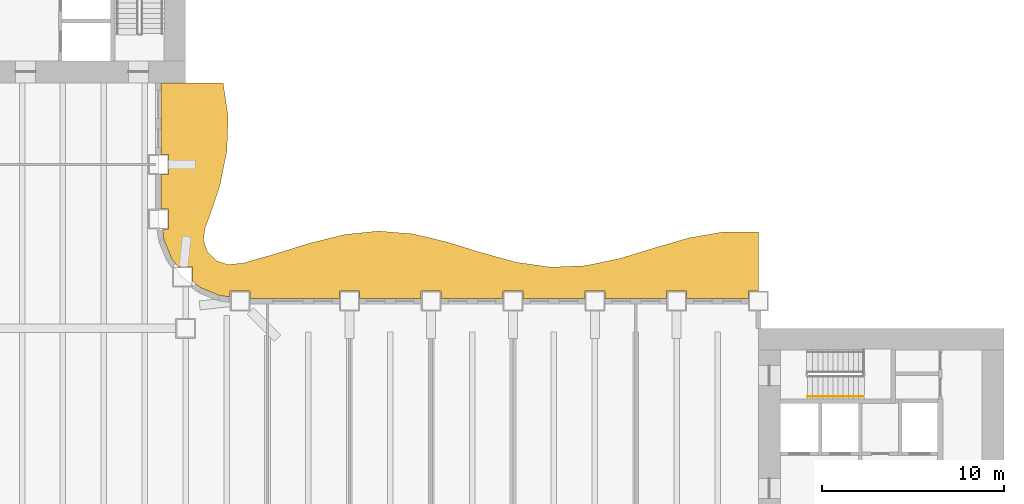
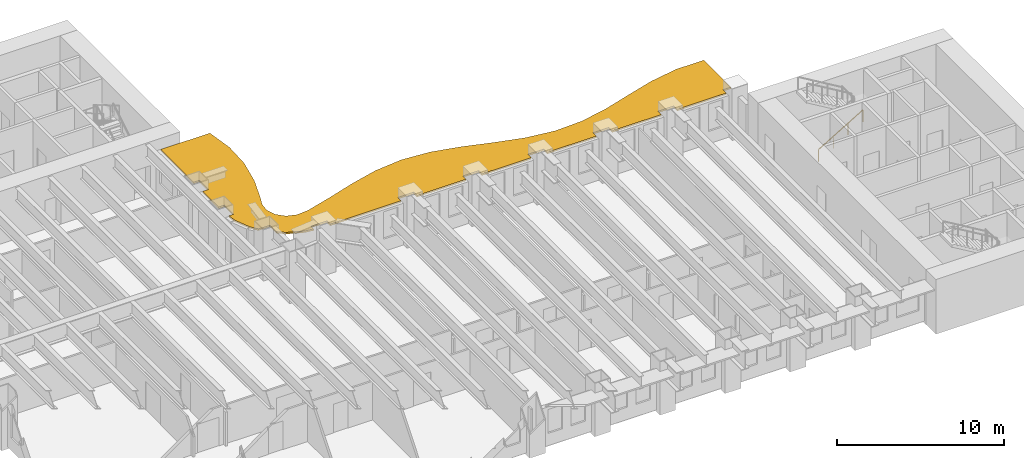
# One storey, part 14 of 16: 1 railing, 1 shading device.
"""IFC4 building model written with IfcOpenShell, lengths in metres."""

from ifc_helpers import new_model, si_unit, direction, frame, origin, origin_2d, place, context, subcontext, project, spatial, polyline, rectangle, outline, extrude, material, layer, layer_set, type_object, element, save


model = new_model("IFC4")

# Units and contexts
model_context = context("Model", 3, precision=1e-05, world=origin(), true_north=direction((0.0, 1.0)))
body_context = subcontext(model_context, "Body", "Model", "MODEL_VIEW")
ifc_project = project(units=[si_unit("LENGTHUNIT", "METRE"), si_unit("AREAUNIT", "SQUARE_METRE"), si_unit("VOLUMEUNIT", "CUBIC_METRE"), si_unit("PLANEANGLEUNIT", "RADIAN"), si_unit("MASSUNIT", "GRAM", prefix="KILO")], contexts=[model_context])

# Site, building, storey
site_placement = place(None, origin())
site = spatial("IfcSite", under=ifc_project, at=site_placement, CompositionType="ELEMENT")
building_placement = place(site_placement, origin())
building = spatial("IfcBuilding", under=site, at=building_placement, Name="Sennacour Bend Tower", CompositionType="ELEMENT")
storey_placement = place(building_placement, frame((0.0, 0.0, 73.0)))
storey = spatial("IfcBuildingStorey", under=building, at=storey_placement, Name="L16", CompositionType="ELEMENT", Elevation=73.0)

# Railing
ifc_material_1 = material(Name="Stainless steel", Category="steel")
railing_type = type_object("IfcRailingType", Name="RL-HANDRAIL-900", PredefinedType="HANDRAIL", material=ifc_material_1)
railing_placement = place(storey_placement, frame((56.699951171875, 18.75, 0.166748046875)))
element("IfcRailing", 1, at=railing_placement, inside=storey, type_object=railing_type, Name="L16 SA2 stair handrail 1", PredefinedType="HANDRAIL", context=body_context, shape_type="SweptSolid", body=[
    extrude(rectangle(XDim=0.048095703125, YDim=0.048095703125, at=origin_2d()), frame((0.0, 0.0, 0.8759765625), z_axis=(0.859308565015, 0.0, 0.511457515432), x_axis=(0.0, 1.0, 0.0)), (0.0, 0.0, 1.0), 3.58447265625),
    extrude(rectangle(XDim=0.0419921875, YDim=0.0419921875, at=origin_2d()), origin(), (0.0, 0.0, 1.0), 0.851806640625),
    extrude(rectangle(XDim=0.0419921875, YDim=0.0419921875, at=origin_2d()), frame((1.026611328125, 0.0, 0.611083984375)), (0.0, 0.0, 1.0), 0.851806640625),
    extrude(rectangle(XDim=0.0419921875, YDim=0.0419921875, at=origin_2d()), frame((2.053466796875, 0.0, 1.22216796875)), (0.0, 0.0, 1.0), 0.851806640625),
    extrude(rectangle(XDim=0.0419921875, YDim=0.0419921875, at=origin_2d()), frame((3.080078125, 0.0, 1.833251953125)), (0.0, 0.0, 1.0), 0.851806640625),
])

# Shading device
ifc_material_2 = material(Name="Bronze anodised aluminium", Category="aluminium")
ifc_layer = layer(ifc_material_2, 0.1201171875, Name="Bronze anodised aluminium", Category="aluminium")
ifc_layer_set = layer_set([ifc_layer], Name="Bronze anodised aluminium")
shading_device_type = type_object("IfcShadingDeviceType", Name="SUNSHADE BAND WAVE", PredefinedType="USERDEFINED", material=ifc_layer_set)
shading_device_placement = place(storey_placement, frame((0.0, 0.0, 2.924072265625)))
element("IfcShadingDevice", 2, at=shading_device_placement, inside=storey, type_object=shading_device_type, Name="Sunshade band L16 concave faces", ObjectType="SUNSHADE", PredefinedType="USERDEFINED", context=body_context, shape_type="SweptSolid", body=[
    extrude(outline(polyline([(53.449951171875, 24.14990234375), (50.050048828125, 24.14990234375), (50.050048828125, 24.550048828125), (48.949951171875, 24.550048828125), (48.949951171875, 24.14990234375), (45.550048828125, 24.14990234375), (45.550048828125, 24.550048828125), (44.449951171875, 24.550048828125), (44.449951171875, 24.14990234375), (41.050048828125, 24.14990234375), (41.050048828125, 24.550048828125), (39.949951171875, 24.550048828125), (39.949951171875, 24.14990234375), (36.550048828125, 24.14990234375), (36.550048828125, 24.550048828125), (35.449951171875, 24.550048828125), (35.449951171875, 24.14990234375), (32.050048828125, 24.14990234375), (32.050048828125, 24.550048828125), (30.949951171875, 24.550048828125), (30.949951171875, 24.14990234375), (26.050048828125, 24.14990234375), (26.050048828125, 24.550048828125), (24.949951171875, 24.550048828125), (24.949951171875, 24.2236328125), (24.37451171875, 24.299560546875), (23.32568359375, 24.73388671875), (22.8681640625, 25.0849609375), (22.8681640625, 25.8681640625), (22.0849609375, 25.8681640625), (21.73388671875, 26.32568359375), (21.299560546875, 27.37451171875), (21.2236328125, 27.949951171875), (21.550048828125, 27.949951171875), (21.550048828125, 29.050048828125), (21.14990234375, 29.050048828125), (21.14990234375, 30.949951171875), (21.550048828125, 30.949951171875), (21.550048828125, 32.050048828125), (21.14990234375, 32.050048828125), (21.14990234375, 36.0), (24.560791015625, 36.0), (24.8330078125, 34.125), (24.76708984375, 32.25), (24.38623046875, 30.375), (23.82080078125, 28.684814453125), (23.548828125, 27.977294921875), (23.4814453125, 27.334716796875), (23.700439453125, 26.700439453125), (24.18359375, 26.219970703125), (24.831787109375, 26.005859375), (25.636474609375, 26.081787109375), (27.39990234375, 26.58056640625), (29.300048828125, 27.174072265625), (31.199951171875, 27.6533203125), (33.10009765625, 27.849365234375), (35.0, 27.693115234375), (36.89990234375, 27.2392578125), (38.800048828125, 26.648193359375), (40.699951171875, 26.12841796875), (42.60009765625, 25.863037109375), (44.5, 25.94580078125), (46.39990234375, 26.347412109375), (48.300048828125, 26.926025390625), (50.199951171875, 27.47802734375), (52.10009765625, 27.80859375), (54.0, 27.801025390625), (54.0, 24.550048828125), (53.449951171875, 24.550048828125), (53.449951171875, 24.14990234375)])), origin(), (0.0, 0.0, 1.0), 0.119873046875),
])

save(model, "model.ifc")
